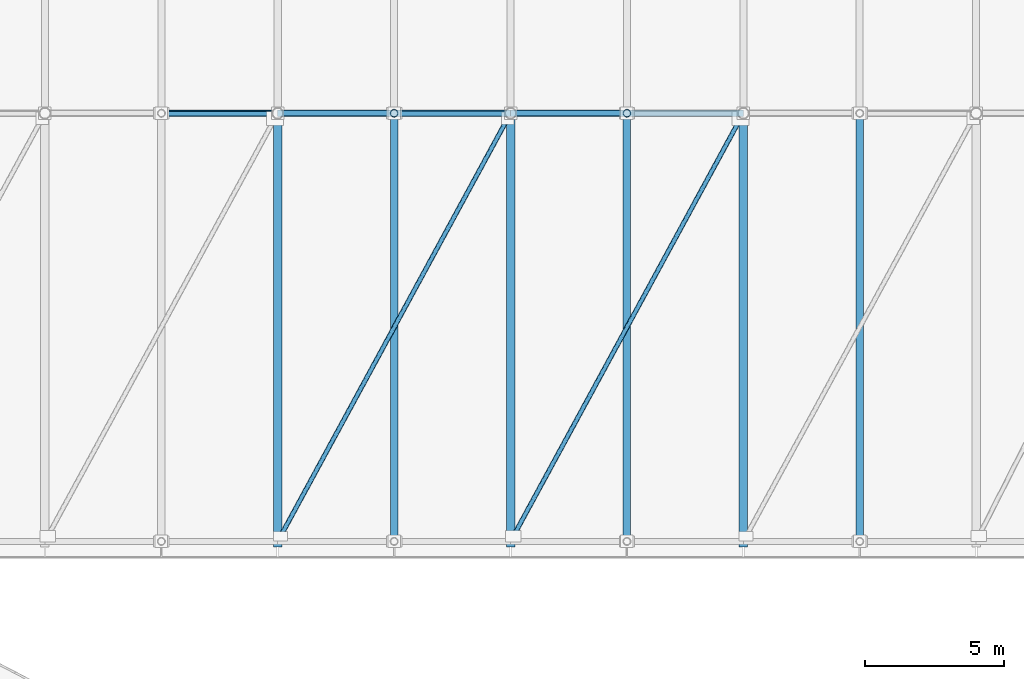
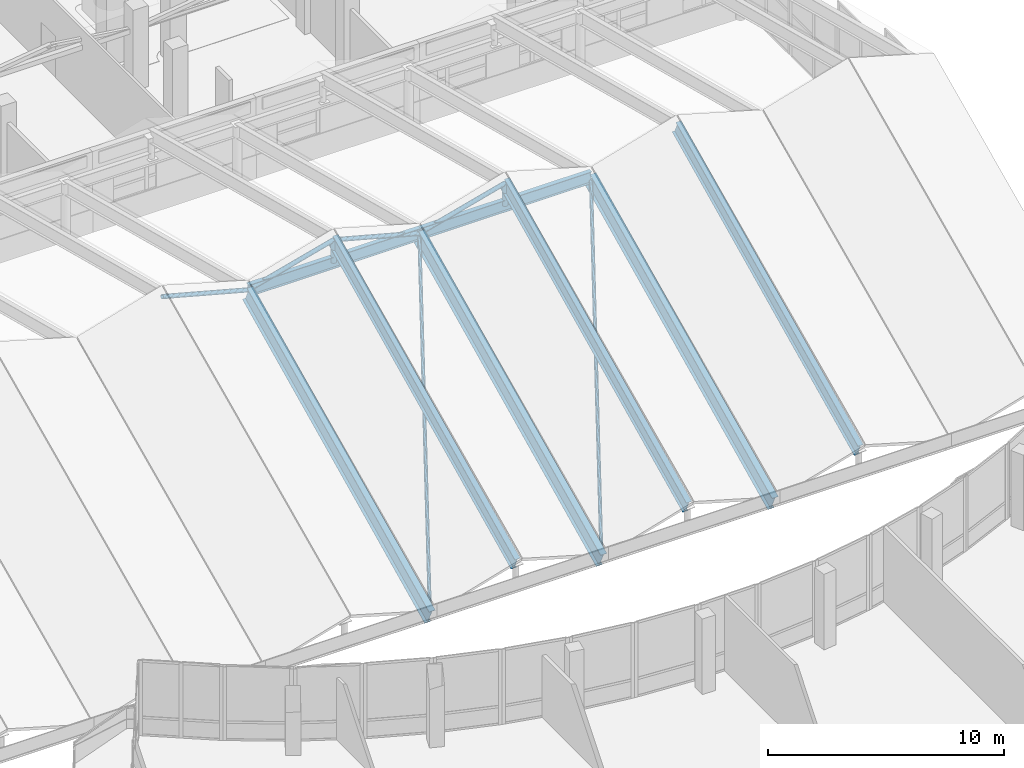
# One storey, part 44 of 184: 8 beams, 8 members.
"""IFC4 building model written with IfcOpenShell, lengths in metres."""

from ifc_helpers import new_model, si_unit, direction, frame, origin, origin_2d, place, context, subcontext, project, spatial, hollow_circle, i_section, extrude, material, material_profile, profile_set, type_object, element, save


model = new_model("IFC4")

# Units and contexts
model_context = context("Model", 3, precision=1e-05, world=origin(), true_north=direction((0.0, 1.0)))
body_context = subcontext(model_context, "Body", "Model", "MODEL_VIEW")
ifc_project = project(units=[si_unit("LENGTHUNIT", "METRE"), si_unit("AREAUNIT", "SQUARE_METRE"), si_unit("VOLUMEUNIT", "CUBIC_METRE"), si_unit("PLANEANGLEUNIT", "RADIAN"), si_unit("MASSUNIT", "GRAM", prefix="KILO")], contexts=[model_context])

# Site, building, storey
site_placement = place(None, origin())
site = spatial("IfcSite", under=ifc_project, at=site_placement, CompositionType="ELEMENT")
building_placement = place(site_placement, origin())
building = spatial("IfcBuilding", under=site, at=building_placement, Name="Selatvlak General Hospital", CompositionType="ELEMENT")
storey_placement = place(building_placement, frame((0.0, 0.0, 15.0)))
storey = spatial("IfcBuildingStorey", under=building, at=storey_placement, Name="L03", CompositionType="ELEMENT", Elevation=15.0)

# Beams
ifc_material = material(Name="Steel S355", Category="steel")
ifc_material_profile_1 = material_profile(ifc_material, i_section(OverallWidth=0.30419921875, OverallDepth=0.910400390625, WebThickness=0.015869140625, FlangeThickness=0.02392578125, at=origin_2d()), Name="UB 914x305x224")
ifc_profile_set_1 = profile_set([ifc_material_profile_1], Name="Steel S355")
beam_type_1 = type_object("IfcBeamType", Name="BM-RF1", PredefinedType="BEAM", material=ifc_profile_set_1)
for number, where, z_axis, x_axis, name in (
    (1, (48.0, 52.550048828125, -0.679931640625), (0.0, 0.901888793553, 0.431968290577), (-1.0, 0.0, 0.0), "Folded roof south rafter 7"),
    (2, (56.39990234375, 52.550048828125, -0.679931640625), (0.0, 0.901888793553, 0.431968290577), (-1.0, 0.0, 0.0), "Folded roof south rafter 9"),
    (3, (64.800048828125, 52.550048828125, -0.679931640625), (0.0, 0.901888793553, 0.431968290577), (-1.0, 0.0, 0.0), "Folded roof south rafter 11"),
):
    element("IfcBeam", number, at=place(storey_placement, frame(where, z_axis=z_axis, x_axis=x_axis)), inside=storey, type_object=beam_type_1, Name=name, PredefinedType="BEAM", context=body_context, shape_type="SweptSolid", body=[
        extrude(i_section(OverallWidth=0.30419921875, OverallDepth=0.910400390625, WebThickness=0.015869140625, FlangeThickness=0.02392578125, at=origin_2d()), origin(), (0.0, 0.0, 1.0), 17.130615234375),
    ])
ifc_material_profile_2 = material_profile(ifc_material, i_section(OverallWidth=0.2666015625, OverallDepth=0.76220703125, WebThickness=0.014404296875, FlangeThickness=0.021484375, at=origin_2d()), Name="UB 762x267x173")
ifc_profile_set_2 = profile_set([ifc_material_profile_2], Name="Steel S355")
beam_type_2 = type_object("IfcBeamType", Name="BM-RF2", PredefinedType="BEAM", material=ifc_profile_set_2)
for number, where, z_axis, x_axis, name in (
    (4, (52.199951171875, 52.550048828125, 0.593994140625), (0.0, 0.901888793553, 0.431968290577), (-1.0, 0.0, 0.0), "Folded roof south rafter 8"),
    (5, (60.60009765625, 52.550048828125, 0.593994140625), (0.0, 0.901888793553, 0.431968290577), (-1.0, 0.0, 0.0), "Folded roof south rafter 10"),
    (6, (69.0, 52.550048828125, 0.593994140625), (0.0, 0.901888793553, 0.431968290577), (-1.0, 0.0, 0.0), "Folded roof south rafter 12"),
):
    element("IfcBeam", number, at=place(storey_placement, frame(where, z_axis=z_axis, x_axis=x_axis)), inside=storey, type_object=beam_type_2, Name=name, PredefinedType="BEAM", context=body_context, shape_type="SweptSolid", body=[
        extrude(i_section(OverallWidth=0.2666015625, OverallDepth=0.76220703125, WebThickness=0.014404296875, FlangeThickness=0.021484375, at=origin_2d()), origin(), (0.0, 0.0, 1.0), 17.130615234375),
    ])
ifc_material_profile_3 = material_profile(ifc_material, i_section(OverallWidth=0.228271484375, OverallDepth=0.607666015625, WebThickness=0.010986328125, FlangeThickness=0.017333984375, at=origin_2d()), Name="UB 610x229x113")
ifc_profile_set_3 = profile_set([ifc_material_profile_3], Name="Steel S355")
beam_type_3 = type_object("IfcBeamType", Name="BM-RF4", PredefinedType="BEAM", material=ifc_profile_set_3)
beam_1_placement = place(storey_placement, frame((48.0, 68.0, 6.87109375), z_axis=(1.0, 0.0, 0.0), x_axis=(0.0, 1.0, 0.0)))
element("IfcBeam", 7, at=beam_1_placement, inside=storey, type_object=beam_type_3, Name="Folded roof SP valley girder 4", PredefinedType="BEAM", context=body_context, shape_type="SweptSolid", body=[
    extrude(i_section(OverallWidth=0.228271484375, OverallDepth=0.607666015625, WebThickness=0.010986328125, FlangeThickness=0.017333984375, at=origin_2d()), origin(), (0.0, 0.0, 1.0), 8.39990234375),
])
beam_2_placement = place(storey_placement, frame((56.39990234375, 68.0, 6.87109375), z_axis=(1.0, 0.0, 0.0), x_axis=(0.0, 1.0, 0.0)))
element("IfcBeam", 8, at=beam_2_placement, inside=storey, type_object=beam_type_3, Name="Folded roof SP valley girder 5", PredefinedType="BEAM", context=body_context, shape_type="SweptSolid", body=[
    extrude(i_section(OverallWidth=0.228271484375, OverallDepth=0.607666015625, WebThickness=0.010986328125, FlangeThickness=0.017333984375, at=origin_2d()), origin(), (0.0, 0.0, 1.0), 8.400146484375),
])

# Members
ifc_material_profile_4 = material_profile(ifc_material, hollow_circle(Radius=0.109619140625, WallThickness=0.008056640625, at=origin_2d()), Name="CHS 219.1x8")
ifc_profile_set_4 = profile_set([ifc_material_profile_4], Name="Steel S355")
member_type_1 = type_object("IfcMemberType", Name="MEM-BR1", PredefinedType="BRACE", material=ifc_profile_set_4)
for number, where, z_axis, x_axis, name in (
    (9, (48.0, 68.0, 6.87109375), (-0.966073502135, 0.0, 0.258267281074), (0.0, -1.0, 0.0), "Folded roof V-brace SP-5R"),
    (10, (48.0, 68.0, 6.87109375), (0.966073502135, 0.0, 0.258267281074), (0.0, 1.0, 0.0), "Folded roof V-brace SP-7L"),
    (11, (56.39990234375, 68.0, 6.87109375), (-0.966073502135, 0.0, 0.258267281074), (0.0, -1.0, 0.0), "Folded roof V-brace SP-7R"),
):
    element("IfcMember", number, at=place(storey_placement, frame(where, z_axis=z_axis, x_axis=x_axis)), inside=storey, type_object=member_type_1, Name=name, PredefinedType="BRACE", context=body_context, shape_type="SweptSolid", body=[
        extrude(hollow_circle(Radius=0.109619140625, WallThickness=0.008056640625, at=origin_2d()), origin(), (0.0, 0.0, 1.0), 4.347412109375),
    ])
member_placement = place(storey_placement, frame((56.39990234375, 68.0, 6.87109375), z_axis=(0.966077247631, 0.0, 0.258253270278), x_axis=(0.0, 1.0, 0.0)))
element("IfcMember", 12, at=member_placement, inside=storey, type_object=member_type_1, Name="Folded roof V-brace SP-9L", PredefinedType="BRACE", context=body_context, shape_type="SweptSolid", body=[
    extrude(hollow_circle(Radius=0.109619140625, WallThickness=0.008056640625, at=origin_2d()), origin(), (0.0, 0.0, 1.0), 4.34765625),
])
ifc_material_profile_5 = material_profile(ifc_material, hollow_circle(Radius=0.084228515625, WallThickness=0.00634765625, at=origin_2d()), Name="CHS 168.3x6.3")
ifc_profile_set_5 = profile_set([ifc_material_profile_5], Name="Steel S355")
member_type_2 = type_object("IfcMemberType", Name="MEM-BR2", PredefinedType="BRACE", material=ifc_profile_set_5)
for number, where, z_axis, x_axis, name in (
    (13, (48.10107421875, 52.736083984375, -0.43994140625), (0.440278245962, 0.809766347789, 0.387857613205), (-0.87853899331, 0.477670636771, 0.0), "Folded roof wind diagonal 4"),
    (14, (56.5009765625, 52.736083984375, -0.43994140625), (0.440278245962, 0.809766347789, 0.387857613205), (-0.87853899331, 0.477670636771, 0.0), "Folded roof wind diagonal 5"),
):
    element("IfcMember", number, at=place(storey_placement, frame(where, z_axis=z_axis, x_axis=x_axis)), inside=storey, type_object=member_type_2, Name=name, PredefinedType="BRACE", context=body_context, shape_type="SweptSolid", body=[
        extrude(hollow_circle(Radius=0.084228515625, WallThickness=0.00634765625, at=origin_2d()), origin(), (0.0, 0.0, 1.0), 18.6201171875),
    ])
ifc_material_profile_6 = material_profile(ifc_material, hollow_circle(Radius=0.136474609375, WallThickness=0.010009765625, at=origin_2d()), Name="CHS 273.0x10")
ifc_profile_set_6 = profile_set([ifc_material_profile_6], Name="Steel S355")
member_type_3 = type_object("IfcMemberType", Name="MEM-ST1", PredefinedType="STRUT", material=ifc_profile_set_6)
for number, where, z_axis, x_axis, name in (
    (15, (52.199951171875, 68.0, 6.87109375), (0.0, 0.0, 1.0), (1.0, 0.0, 0.0), "Folded roof ridge kingpost SP-7"),
    (16, (60.60009765625, 68.0, 6.87109375), (0.0, 0.0, 1.0), (1.0, 0.0, 0.0), "Folded roof ridge kingpost SP-9"),
):
    element("IfcMember", number, at=place(storey_placement, frame(where, z_axis=z_axis, x_axis=x_axis)), inside=storey, type_object=member_type_3, Name=name, PredefinedType="STRUT", context=body_context, shape_type="SweptSolid", body=[
        extrude(hollow_circle(Radius=0.136474609375, WallThickness=0.010009765625, at=origin_2d()), origin(), (0.0, 0.0, 1.0), 1.122802734375),
    ])

save(model, "model.ifc")
